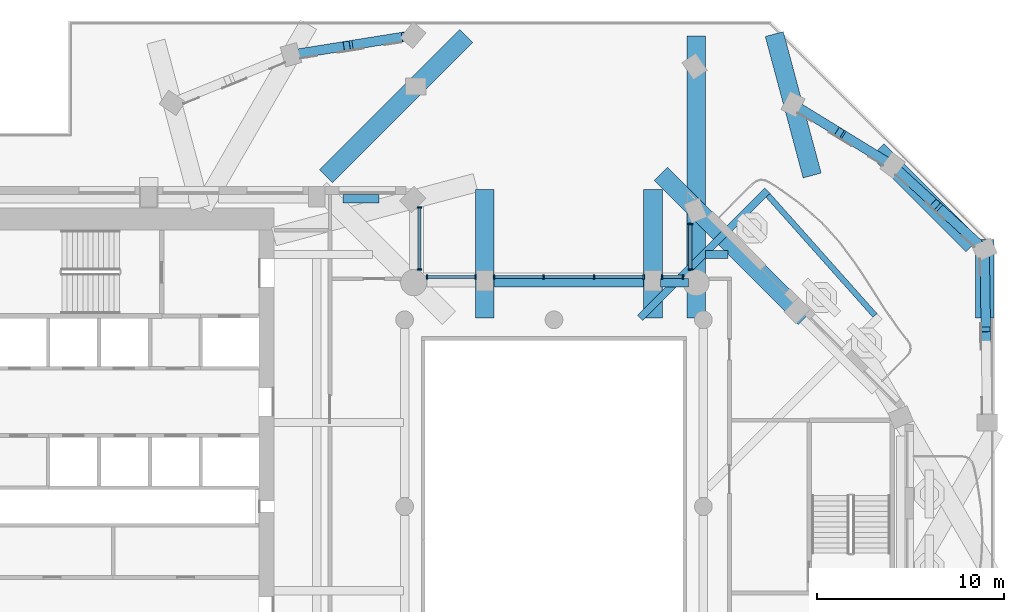
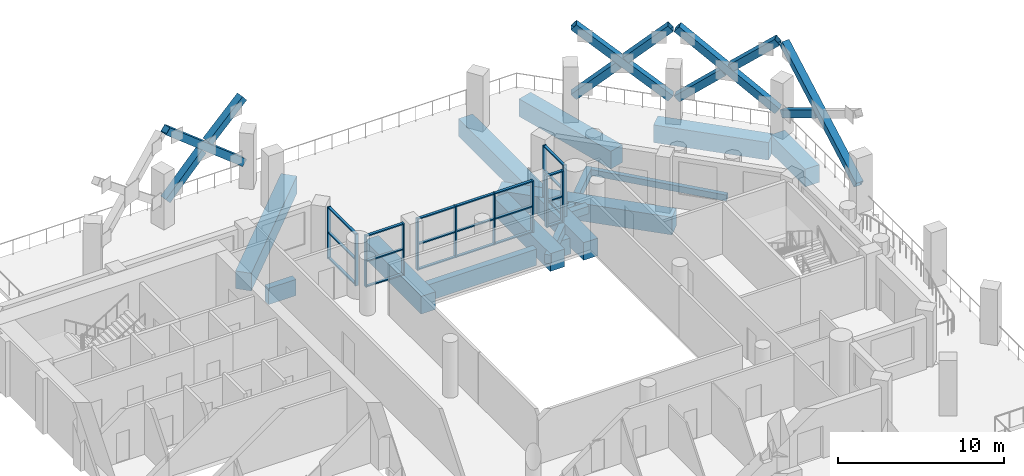
# One storey, part 3 of 18: 44 members, 14 beams, 5 elements without a shape of their own.
"""IFC4 building model written with IfcOpenShell, lengths in metres."""

from ifc_helpers import new_model, si_unit, direction, frame, origin, origin_2d, place, context, subcontext, project, spatial, rectangle, hollow_rectangle, extrude, material, material_profile, profile_set, type_object, element, aggregate, save


model = new_model("IFC4")

# Units and contexts
model_context = context("Model", 3, precision=1e-05, world=origin(), true_north=direction((0.0, 1.0)))
body_context = subcontext(model_context, "Body", "Model", "MODEL_VIEW")
ifc_project = project(units=[si_unit("LENGTHUNIT", "METRE"), si_unit("AREAUNIT", "SQUARE_METRE"), si_unit("VOLUMEUNIT", "CUBIC_METRE"), si_unit("PLANEANGLEUNIT", "RADIAN"), si_unit("MASSUNIT", "GRAM", prefix="KILO")], contexts=[model_context])

# Site, building, storey
site_placement = place(None, origin())
site = spatial("IfcSite", under=ifc_project, at=site_placement, CompositionType="ELEMENT")
building_placement = place(site_placement, origin())
building = spatial("IfcBuilding", under=site, at=building_placement, Name="Cypress Arch Tower", CompositionType="ELEMENT")
storey_placement = place(building_placement, frame((0.0, 0.0, 160.5)))
storey = spatial("IfcBuildingStorey", under=building, at=storey_placement, Name="L34", CompositionType="ELEMENT", Elevation=160.5)

# Beams
ifc_material_1 = material(Name="Concrete C50/60", Category="concrete")
ifc_material_profile_1 = material_profile(ifc_material_1, rectangle(XDim=0.300048828125, YDim=0.449951171875, at=origin_2d()), Name="RC 300x450")
ifc_profile_set_1 = profile_set([ifc_material_profile_1], Name="Concrete C50/60")
beam_type_1 = type_object("IfcBeamType", Name="Balcony edge beam RC 300x450 Concrete C50/60", PredefinedType="BEAM", material=ifc_profile_set_1)
beam_1_placement = place(storey_placement, frame((18.19091796875, 10.232666015625, -0.52490234375), z_axis=(-0.665072449719, 0.746778840504, 0.0), x_axis=(-0.746778840504, -0.665072449719, 0.0)))
element("IfcBeam", 1, at=beam_1_placement, inside=storey, type_object=beam_type_1, Name="Balcony edge beam L34 B05", PredefinedType="BEAM", context=body_context, shape_type="SweptSolid", body=[
    extrude(rectangle(XDim=0.300048828125, YDim=0.449951171875, at=origin_2d()), origin(), (0.0, 0.0, 1.0), 8.614501953125),
])
ifc_material_2 = material(Name="Concrete C50/60", Category="concrete")
ifc_material_profile_2 = material_profile(ifc_material_2, rectangle(XDim=0.39990234375, YDim=0.64990234375, at=origin_2d()), Name="RC 400x650")
ifc_profile_set_2 = profile_set([ifc_material_profile_2], Name="Concrete C50/60")
beam_type_2 = type_object("IfcBeamType", Name="Cantilever beam RC 400x650 Concrete C50/60", PredefinedType="BEAM", material=ifc_profile_set_2)
beam_2_placement = place(storey_placement, frame((5.613037109375, 10.10009765625, -0.625), z_axis=(0.707119450286, 0.70709411186, 0.0), x_axis=(-0.70709411186, 0.707119450286, 0.0)))
element("IfcBeam", 2, at=beam_2_placement, inside=storey, type_object=beam_type_2, Name="Cantilever beam L34 B05 2", PredefinedType="BEAM", context=body_context, shape_type="SweptSolid", body=[
    extrude(rectangle(XDim=0.39990234375, YDim=0.64990234375, at=origin_2d()), origin(), (0.0, 0.0, 1.0), 9.63525390625),
])

# Members
ifc_material_3 = material(Name="Steel ASTM A500 Grade C", Category="steel")
ifc_material_profile_3 = material_profile(ifc_material_3, hollow_rectangle(XDim=0.508056640625, YDim=0.508056640625, WallThickness=0.017578125, at=origin_2d()), Name="HSS 20x20x3/4")
ifc_profile_set_3 = profile_set([ifc_material_profile_3], Name="Steel ASTM A500 Grade C")
member_type_1 = type_object("IfcMemberType", Name="Exoskeleton brace HSS 20x20x3/4 Steel ASTM A500 Grade C", PredefinedType="BRACE", material=ifc_profile_set_3)
member_1_placement = place(storey_placement, frame((-6.9873046875, 25.16650390625, 1.86962890625), z_axis=(-0.759362429505, -0.121258621053, 0.639269151044), x_axis=(0.157686985254, -0.987489146615, 0.0)))
element("IfcMember", 3, at=member_1_placement, inside=storey, type_object=member_type_1, Name="Exoskeleton brace L34 CQ02-CQ03a", PredefinedType="BRACE", context=body_context, shape_type="SweptSolid", body=[
    extrude(hollow_rectangle(XDim=0.508056640625, YDim=0.508056640625, WallThickness=0.017578125, at=origin_2d()), origin(), (0.0, 0.0, 1.0), 7.75146484375),
])
member_2_placement = place(storey_placement, frame((-6.9873046875, 25.16650390625, 6.63037109375), z_axis=(-0.771601867664, -0.123256808039, -0.624049931567), x_axis=(0.157741564469, -0.987480429598, 0.0)))
element("IfcMember", 4, at=member_2_placement, inside=storey, type_object=member_type_1, Name="Exoskeleton brace L34 CQ02-CQ03b1", PredefinedType="BRACE", context=body_context, shape_type="SweptSolid", body=[
    extrude(hollow_rectangle(XDim=0.508056640625, YDim=0.508056640625, WallThickness=0.017578125, at=origin_2d()), origin(), (0.0, 0.0, 1.0), 3.4267578125),
])
member_3_placement = place(storey_placement, frame((-12.87353515625, 24.2265625, 1.675048828125), z_axis=(0.747248255454, 0.119328423488, 0.653743659296), x_axis=(-0.157692464073, 0.987488271715, 0.0)))
element("IfcMember", 5, at=member_3_placement, inside=storey, type_object=member_type_1, Name="Exoskeleton brace L34 CQ02-CQ03b2", PredefinedType="BRACE", context=body_context, shape_type="SweptSolid", body=[
    extrude(hollow_rectangle(XDim=0.508056640625, YDim=0.508056640625, WallThickness=0.017578125, at=origin_2d()), origin(), (0.0, 0.0, 1.0), 3.715576171875),
])
member_4_placement = place(storey_placement, frame((24.196533203125, 4.740234375, 1.642822265625), z_axis=(-0.012633702037, 0.859692199614, 0.510656157796), x_axis=(-0.999892036997, -0.014694024291, 0.0)))
element("IfcMember", 6, at=member_4_placement, inside=storey, type_object=member_type_1, Name="Exoskeleton brace L34 CQ14-CQ15a", PredefinedType="BRACE", context=body_context, shape_type="SweptSolid", body=[
    extrude(hollow_rectangle(XDim=0.508056640625, YDim=0.508056640625, WallThickness=0.017578125, at=origin_2d()), origin(), (0.0, 0.0, 1.0), 10.164794921875),
])
member_5_placement = place(storey_placement, frame((24.068115234375, 13.478759765625, 1.66650390625), z_axis=(0.012637504543, -0.860719371928, 0.508922839207), x_axis=(0.999892229651, 0.014680908792, 0.0)))
element("IfcMember", 7, at=member_5_placement, inside=storey, type_object=member_type_1, Name="Exoskeleton brace L34 CQ14-CQ15b2", PredefinedType="BRACE", context=body_context, shape_type="SweptSolid", body=[
    extrude(hollow_rectangle(XDim=0.508056640625, YDim=0.508056640625, WallThickness=0.017578125, at=origin_2d()), origin(), (0.0, 0.0, 1.0), 4.636474609375),
])
member_6_placement = place(storey_placement, frame((23.880615234375, 13.927001953125, 1.704833984375), z_axis=(-0.569373547845, 0.521155454769, 0.635775711221), x_axis=(-0.675182159248, -0.737651036624, 0.0)))
element("IfcMember", 8, at=member_6_placement, inside=storey, type_object=member_type_1, Name="Exoskeleton brace L34 CQ15-CQ16a", PredefinedType="BRACE", context=body_context, shape_type="SweptSolid", body=[
    extrude(hollow_rectangle(XDim=0.508056640625, YDim=0.508056640625, WallThickness=0.017578125, at=origin_2d()), origin(), (0.0, 0.0, 1.0), 8.0556640625),
])
member_7_placement = place(storey_placement, frame((23.880615234375, 13.927001953125, 6.795166015625), z_axis=(-0.57078193441, 0.522440805637, -0.633453698353), x_axis=(-0.67517951183, -0.737653459834, 0.0)))
element("IfcMember", 9, at=member_7_placement, inside=storey, type_object=member_type_1, Name="Exoskeleton brace L34 CQ15-CQ16b1", PredefinedType="BRACE", context=body_context, shape_type="SweptSolid", body=[
    extrude(hollow_rectangle(XDim=0.508056640625, YDim=0.508056640625, WallThickness=0.017578125, at=origin_2d()), origin(), (0.0, 0.0, 1.0), 3.69677734375),
])
member_8_placement = place(storey_placement, frame((19.2939453125, 18.125244140625, 1.673583984375), z_axis=(0.567933916202, -0.519861411753, 0.638118468153), x_axis=(0.675198888263, 0.737635723978, 0.0)))
element("IfcMember", 10, at=member_8_placement, inside=storey, type_object=member_type_1, Name="Exoskeleton brace L34 CQ15-CQ16b2", PredefinedType="BRACE", context=body_context, shape_type="SweptSolid", body=[
    extrude(hollow_rectangle(XDim=0.508056640625, YDim=0.508056640625, WallThickness=0.017578125, at=origin_2d()), origin(), (0.0, 0.0, 1.0), 3.742919921875),
])
member_9_placement = place(storey_placement, frame((18.96435546875, 18.37451171875, 1.67919921875), z_axis=(-0.640050093812, 0.393667307688, 0.659819617978), x_axis=(-0.52389502114, -0.85178284018, 0.0)))
element("IfcMember", 11, at=member_9_placement, inside=storey, type_object=member_type_1, Name="Exoskeleton brace L34 CQ16-CQ17a", PredefinedType="BRACE", context=body_context, shape_type="SweptSolid", body=[
    extrude(hollow_rectangle(XDim=0.508056640625, YDim=0.508056640625, WallThickness=0.017578125, at=origin_2d()), origin(), (0.0, 0.0, 1.0), 7.79248046875),
])
member_10_placement = place(storey_placement, frame((18.96435546875, 18.37451171875, 6.82080078125), z_axis=(-0.640017530729, 0.393674735778, -0.659846772191), x_axis=(-0.523921531976, -0.851766533935, 0.0)))
element("IfcMember", 12, at=member_10_placement, inside=storey, type_object=member_type_1, Name="Exoskeleton brace L34 CQ16-CQ17b1", PredefinedType="BRACE", context=body_context, shape_type="SweptSolid", body=[
    extrude(hollow_rectangle(XDim=0.508056640625, YDim=0.508056640625, WallThickness=0.017578125, at=origin_2d()), origin(), (0.0, 0.0, 1.0), 3.607421875),
])
member_11_placement = place(storey_placement, frame((13.976806640625, 21.442138671875, 1.67919921875), z_axis=(0.640057482874, -0.393657684276, 0.659818191798), x_axis=(0.523881341145, 0.851791254005, 0.0)))
element("IfcMember", 13, at=member_11_placement, inside=storey, type_object=member_type_1, Name="Exoskeleton brace L34 CQ16-CQ17b2", PredefinedType="BRACE", context=body_context, shape_type="SweptSolid", body=[
    extrude(hollow_rectangle(XDim=0.508056640625, YDim=0.508056640625, WallThickness=0.017578125, at=origin_2d()), origin(), (0.0, 0.0, 1.0), 3.607666015625),
])

# Beam
ifc_material_4 = material(Name="Concrete C50/60", Category="concrete")
ifc_material_profile_4 = material_profile(ifc_material_4, rectangle(XDim=0.449951171875, YDim=0.550048828125, at=origin_2d()), Name="RC 450x550")
ifc_profile_set_4 = profile_set([ifc_material_profile_4], Name="Concrete C50/60")
beam_type_3 = type_object("IfcBeamType", Name="Floor beam RC 450x550 Concrete C50/60", PredefinedType="BEAM", material=ifc_profile_set_4)
beam_3_placement = place(storey_placement, frame((9.112060546875, 13.5, -0.574951171875), z_axis=(1.0, 0.0, 0.0), x_axis=(0.0, 1.0, 0.0)))
element("IfcBeam", 14, at=beam_3_placement, inside=storey, type_object=beam_type_3, Name="Floor beam L34 FB016", PredefinedType="BEAM", context=body_context, shape_type="SweptSolid", body=[
    extrude(rectangle(XDim=0.449951171875, YDim=0.550048828125, at=origin_2d()), origin(), (0.0, 0.0, 1.0), 1.215087890625),
])

# Curtain wall, members
ifc_material_5 = material(Name="Anodised aluminium, bronze finish, clear laminated double glazing", Category="aluminium")
curtain_wall_type = type_object("IfcCurtainWallType", Name="Curtain wall CW7 slot glazing", PredefinedType="NOTDEFINED", material=ifc_material_5)
curtain_wall_1_placement = place(storey_placement, origin())
curtain_wall_1 = element("IfcCurtainWall", 15, at=curtain_wall_1_placement, inside=storey, type_object=curtain_wall_type, Name="Curtain wall L34 slot B06.0", PredefinedType="NOTDEFINED")
ifc_material_6 = material(Name="Anodised aluminium, bronze finish", Category="aluminium")
ifc_material_profile_5 = material_profile(ifc_material_6, rectangle(XDim=0.239990234375, YDim=0.0849609375, at=origin_2d()), Name="Mullion 85x240")
ifc_profile_set_5 = profile_set([ifc_material_profile_5], Name="Anodised aluminium, bronze finish")
member_type_2 = type_object("IfcMemberType", Name="Mullion CW7 85x240", PredefinedType="MULLION", material=ifc_profile_set_5)
member_12_placement = place(storey_placement, frame((8.300048828125, 15.12744140625, 0.0), z_axis=(0.0, 0.0, 1.0), x_axis=(1.0, 0.0, 0.0)))
member_12 = element("IfcMember", 16, at=member_12_placement, type_object=member_type_2, Name="CW7 mullion 1", PredefinedType="MULLION", context=body_context, shape_type="SweptSolid", body=[
    extrude(rectangle(XDim=0.239990234375, YDim=0.0849609375, at=origin_2d()), origin(), (0.0, 0.0, 1.0), 3.800048828125),
])
member_13_placement = place(storey_placement, frame((8.300048828125, 12.697021484375, 0.0), z_axis=(0.0, 0.0, 1.0), x_axis=(1.0, 0.0, 0.0)))
member_13 = element("IfcMember", 17, at=member_13_placement, type_object=member_type_2, Name="CW7 mullion 2", PredefinedType="MULLION", context=body_context, shape_type="SweptSolid", body=[
    extrude(rectangle(XDim=0.239990234375, YDim=0.0849609375, at=origin_2d()), origin(), (0.0, 0.0, 1.0), 3.800048828125),
])

curtain_wall_2_placement = place(storey_placement, origin())
curtain_wall_2 = element("IfcCurtainWall", 18, at=curtain_wall_2_placement, inside=storey, type_object=curtain_wall_type, Name="Curtain wall L34 slot B07.0", PredefinedType="NOTDEFINED")
member_14_placement = place(storey_placement, frame((7.903076171875, 12.300048828125, 0.0), z_axis=(0.0, 0.0, 1.0), x_axis=(0.0, -1.0, 0.0)))
member_14 = element("IfcMember", 19, at=member_14_placement, type_object=member_type_2, Name="CW7 mullion 1", PredefinedType="MULLION", context=body_context, shape_type="SweptSolid", body=[
    extrude(rectangle(XDim=0.239990234375, YDim=0.0849609375, at=origin_2d()), origin(), (0.0, 0.0, 1.0), 3.800048828125),
])
member_15_placement = place(storey_placement, frame((6.79248046875, 12.300048828125, 0.0), z_axis=(0.0, 0.0, 1.0), x_axis=(0.0, -1.0, 0.0)))
member_15 = element("IfcMember", 20, at=member_15_placement, type_object=member_type_2, Name="CW7 mullion 2", PredefinedType="MULLION", context=body_context, shape_type="SweptSolid", body=[
    extrude(rectangle(XDim=0.239990234375, YDim=0.0849609375, at=origin_2d()), origin(), (0.0, 0.0, 1.0), 3.800048828125),
])

curtain_wall_3_placement = place(storey_placement, origin())
curtain_wall_3 = element("IfcCurtainWall", 21, at=curtain_wall_3_placement, inside=storey, type_object=curtain_wall_type, Name="Curtain wall L34 slot B07.1", PredefinedType="NOTDEFINED")
member_16_placement = place(storey_placement, frame((5.8076171875, 12.300048828125, 0.0), z_axis=(0.0, 0.0, 1.0), x_axis=(0.0, -1.0, 0.0)))
member_16 = element("IfcMember", 22, at=member_16_placement, type_object=member_type_2, Name="CW7 mullion 1", PredefinedType="MULLION", context=body_context, shape_type="SweptSolid", body=[
    extrude(rectangle(XDim=0.239990234375, YDim=0.0849609375, at=origin_2d()), origin(), (0.0, 0.0, 1.0), 3.800048828125),
])
member_17_placement = place(storey_placement, frame((3.14990234375, 12.300048828125, 0.0), z_axis=(0.0, 0.0, 1.0), x_axis=(0.0, -1.0, 0.0)))
member_17 = element("IfcMember", 23, at=member_17_placement, type_object=member_type_2, Name="CW7 mullion 2", PredefinedType="MULLION", context=body_context, shape_type="SweptSolid", body=[
    extrude(rectangle(XDim=0.239990234375, YDim=0.0849609375, at=origin_2d()), origin(), (0.0, 0.0, 1.0), 3.800048828125),
])
member_18_placement = place(storey_placement, frame((0.449951171875, 12.300048828125, 0.0), z_axis=(0.0, 0.0, 1.0), x_axis=(0.0, -1.0, 0.0)))
member_18 = element("IfcMember", 24, at=member_18_placement, type_object=member_type_2, Name="CW7 mullion 3", PredefinedType="MULLION", context=body_context, shape_type="SweptSolid", body=[
    extrude(rectangle(XDim=0.239990234375, YDim=0.0849609375, at=origin_2d()), origin(), (0.0, 0.0, 1.0), 3.800048828125),
])
member_19_placement = place(storey_placement, frame((-2.20751953125, 12.300048828125, 0.0), z_axis=(0.0, 0.0, 1.0), x_axis=(0.0, -1.0, 0.0)))
member_19 = element("IfcMember", 25, at=member_19_placement, type_object=member_type_2, Name="CW7 mullion 4", PredefinedType="MULLION", context=body_context, shape_type="SweptSolid", body=[
    extrude(rectangle(XDim=0.239990234375, YDim=0.0849609375, at=origin_2d()), origin(), (0.0, 0.0, 1.0), 3.800048828125),
])

curtain_wall_4_placement = place(storey_placement, origin())
curtain_wall_4 = element("IfcCurtainWall", 26, at=curtain_wall_4_placement, inside=storey, type_object=curtain_wall_type, Name="Curtain wall L34 slot B07.2", PredefinedType="NOTDEFINED")
member_20_placement = place(storey_placement, frame((-3.1923828125, 12.300048828125, 0.0), z_axis=(0.0, 0.0, 1.0), x_axis=(0.0, -1.0, 0.0)))
member_20 = element("IfcMember", 27, at=member_20_placement, type_object=member_type_2, Name="CW7 mullion 1", PredefinedType="MULLION", context=body_context, shape_type="SweptSolid", body=[
    extrude(rectangle(XDim=0.239990234375, YDim=0.0849609375, at=origin_2d()), origin(), (0.0, 0.0, 1.0), 3.800048828125),
])
member_21_placement = place(storey_placement, frame((-5.802978515625, 12.300048828125, 0.0), z_axis=(0.0, 0.0, 1.0), x_axis=(0.0, -1.0, 0.0)))
member_21 = element("IfcMember", 28, at=member_21_placement, type_object=member_type_2, Name="CW7 mullion 2", PredefinedType="MULLION", context=body_context, shape_type="SweptSolid", body=[
    extrude(rectangle(XDim=0.239990234375, YDim=0.0849609375, at=origin_2d()), origin(), (0.0, 0.0, 1.0), 3.800048828125),
])

curtain_wall_5_placement = place(storey_placement, origin())
curtain_wall_5 = element("IfcCurtainWall", 29, at=curtain_wall_5_placement, inside=storey, type_object=curtain_wall_type, Name="Curtain wall L34 slot B08.0", PredefinedType="NOTDEFINED")
member_22_placement = place(storey_placement, frame((-6.199951171875, 12.697021484375, 0.0), z_axis=(0.0, 0.0, 1.0), x_axis=(-1.0, 0.0, 0.0)))
member_22 = element("IfcMember", 30, at=member_22_placement, type_object=member_type_2, Name="CW7 mullion 1", PredefinedType="MULLION", context=body_context, shape_type="SweptSolid", body=[
    extrude(rectangle(XDim=0.239990234375, YDim=0.0849609375, at=origin_2d()), origin(), (0.0, 0.0, 1.0), 3.800048828125),
])
member_23_placement = place(storey_placement, frame((-6.199951171875, 16.02099609375, 0.0), z_axis=(0.0, 0.0, 1.0), x_axis=(-1.0, 0.0, 0.0)))
member_23 = element("IfcMember", 31, at=member_23_placement, type_object=member_type_2, Name="CW7 mullion 2", PredefinedType="MULLION", context=body_context, shape_type="SweptSolid", body=[
    extrude(rectangle(XDim=0.239990234375, YDim=0.0849609375, at=origin_2d()), origin(), (0.0, 0.0, 1.0), 3.800048828125),
])

# Beams
ifc_material_7 = material(Name="Concrete C50/60", Category="concrete")
ifc_material_profile_6 = material_profile(ifc_material_7, rectangle(XDim=0.449951171875, YDim=1.199951171875, at=origin_2d()), Name="RC 450x1200")
ifc_profile_set_6 = profile_set([ifc_material_profile_6], Name="Concrete C50/60")
beam_type_4 = type_object("IfcBeamType", Name="Spandrel beam RC 450x1200 Concrete C50/60", PredefinedType="SPANDREL", material=ifc_profile_set_6)
beam_4_placement = place(storey_placement, frame((8.2060546875, 11.97509765625, -1.550048828125), z_axis=(-1.0, 0.0, 0.0), x_axis=(0.0, -1.0, 0.0)))
element("IfcBeam", 32, at=beam_4_placement, inside=storey, type_object=beam_type_4, Name="Spandrel beam L34 BB07-0", PredefinedType="SPANDREL", context=body_context, shape_type="SweptSolid", body=[
    extrude(rectangle(XDim=0.449951171875, YDim=1.199951171875, at=origin_2d()), origin(), (0.0, 0.0, 1.0), 1.5),
])
beam_5_placement = place(storey_placement, frame((5.800048828125, 11.97509765625, -1.550048828125), z_axis=(-1.0, 0.0, 0.0), x_axis=(0.0, -1.0, 0.0)))
element("IfcBeam", 33, at=beam_5_placement, inside=storey, type_object=beam_type_4, Name="Spandrel beam L34 BB07-1", PredefinedType="SPANDREL", context=body_context, shape_type="SweptSolid", body=[
    extrude(rectangle(XDim=0.449951171875, YDim=1.199951171875, at=origin_2d()), origin(), (0.0, 0.0, 1.0), 8.0),
])
beam_6_placement = place(storey_placement, frame((-8.369140625, 16.47509765625, -1.550048828125), z_axis=(-1.0, 0.0, 0.0), x_axis=(0.0, -1.0, 0.0)))
element("IfcBeam", 34, at=beam_6_placement, inside=storey, type_object=beam_type_4, Name="Spandrel beam L34 BB09-0", PredefinedType="SPANDREL", context=body_context, shape_type="SweptSolid", body=[
    extrude(rectangle(XDim=0.449951171875, YDim=1.199951171875, at=origin_2d()), origin(), (0.0, 0.0, 1.0), 1.923095703125),
])
ifc_material_8 = material(Name="Concrete C80/95", Category="concrete")
ifc_material_profile_7 = material_profile(ifc_material_8, rectangle(XDim=1.0, YDim=1.300048828125, at=origin_2d()), Name="RC 1000x1300")
ifc_profile_set_7 = profile_set([ifc_material_profile_7], Name="Concrete C80/95")
beam_type_5 = type_object("IfcBeamType", Name="Transfer girder RC 1000x1300 Concrete C80/95", PredefinedType="BEAM", material=ifc_profile_set_7)
beam_7_placement = place(storey_placement, frame((14.434326171875, 10.10009765625, -0.949951171875), z_axis=(-0.707117973215, 0.707095588981, 0.0), x_axis=(-0.707095588981, -0.707117973215, 0.0)))
element("IfcBeam", 35, at=beam_7_placement, inside=storey, type_object=beam_type_5, Name="Transfer girder L34 CB11", PredefinedType="BEAM", context=body_context, shape_type="SweptSolid", body=[
    extrude(rectangle(XDim=1.0, YDim=1.300048828125, at=origin_2d()), origin(), (0.0, 0.0, 1.0), 10.90673828125),
])
beam_8_placement = place(storey_placement, frame((8.612060546875, 10.10009765625, -0.949951171875), z_axis=(0.0, 1.0, 0.0), x_axis=(-1.0, 0.0, 0.0)))
element("IfcBeam", 36, at=beam_8_placement, inside=storey, type_object=beam_type_5, Name="Transfer girder L34 CB13", PredefinedType="BEAM", context=body_context, shape_type="SweptSolid", body=[
    extrude(rectangle(XDim=1.0, YDim=1.300048828125, at=origin_2d()), origin(), (0.0, 0.0, 1.0), 15.099853515625),
])
for number, where, z_axis, x_axis, name in (
    (37, (6.300048828125, 10.10009765625, -0.949951171875), (0.0, 1.0, 0.0), (-1.0, 0.0, 0.0), "Transfer girder L34 CB14"),
    (38, (-2.699951171875, 10.10009765625, -0.949951171875), (0.0, 1.0, 0.0), (-1.0, 0.0, 0.0), "Transfer girder L34 CB15"),
):
    element("IfcBeam", number, at=place(storey_placement, frame(where, z_axis=z_axis, x_axis=x_axis)), inside=storey, type_object=beam_type_5, Name=name, PredefinedType="BEAM", context=body_context, shape_type="SweptSolid", body=[
        extrude(rectangle(XDim=1.0, YDim=1.300048828125, at=origin_2d()), origin(), (0.0, 0.0, 1.0), 6.875),
    ])
beam_9_placement = place(storey_placement, frame((-11.21044921875, 17.689453125, -0.949951171875), z_axis=(0.707106781187, 0.707106781187, 0.0), x_axis=(-0.707106781187, 0.707106781187, 0.0)))
element("IfcBeam", 39, at=beam_9_placement, inside=storey, type_object=beam_type_5, Name="Transfer girder L34 CQ01", PredefinedType="BEAM", context=body_context, shape_type="SweptSolid", body=[
    extrude(rectangle(XDim=1.0, YDim=1.300048828125, at=origin_2d()), origin(), (0.0, 0.0, 1.0), 10.621337890625),
])
beam_10_placement = place(storey_placement, frame((24.06396484375, 14.30908203125, -0.949951171875), z_axis=(0.0, -1.0, 0.0), x_axis=(1.0, 0.0, 0.0)))
element("IfcBeam", 40, at=beam_10_placement, inside=storey, type_object=beam_type_5, Name="Transfer girder L34 CQ15", PredefinedType="BEAM", context=body_context, shape_type="SweptSolid", body=[
    extrude(rectangle(XDim=1.0, YDim=1.300048828125, at=origin_2d()), origin(), (0.0, 0.0, 1.0), 4.208984375),
])
beam_11_placement = place(storey_placement, frame((23.4111328125, 13.99462890625, -0.949951171875), z_axis=(-0.707106781187, 0.707106781187, 0.0), x_axis=(-0.707106781187, -0.707106781187, 0.0)))
element("IfcBeam", 41, at=beam_11_placement, inside=storey, type_object=beam_type_5, Name="Transfer girder L34 CQ16", PredefinedType="BEAM", context=body_context, shape_type="SweptSolid", body=[
    extrude(rectangle(XDim=1.0, YDim=1.300048828125, at=origin_2d()), origin(), (0.0, 0.0, 1.0), 7.198486328125),
])
beam_12_placement = place(storey_placement, frame((14.8271484375, 17.727783203125, -0.949951171875), z_axis=(-0.258838804068, 0.965920531674, 0.0), x_axis=(-0.965920531674, -0.258838804068, 0.0)))
element("IfcBeam", 42, at=beam_12_placement, inside=storey, type_object=beam_type_5, Name="Transfer girder L34 CQ17", PredefinedType="BEAM", context=body_context, shape_type="SweptSolid", body=[
    extrude(rectangle(XDim=1.0, YDim=1.300048828125, at=origin_2d()), origin(), (0.0, 0.0, 1.0), 7.841064453125),
])

# Member
ifc_material_9 = material(Name="Anodised aluminium, bronze finish", Category="aluminium")
ifc_material_profile_8 = material_profile(ifc_material_9, rectangle(XDim=0.179931640625, YDim=0.0849609375, at=origin_2d()), Name="Transom 85x180")
ifc_profile_set_8 = profile_set([ifc_material_profile_8], Name="Anodised aluminium, bronze finish")
member_type_3 = type_object("IfcMemberType", Name="Transom CW7 85x180", PredefinedType="USERDEFINED", material=ifc_profile_set_8)
member_24_placement = place(storey_placement, frame((8.300048828125, 15.0849609375, 0.04248046875), z_axis=(0.0, -1.0, 0.0), x_axis=(1.0, 0.0, 0.0)))
member_24 = element("IfcMember", 43, at=member_24_placement, type_object=member_type_3, Name="CW7 transom 1.1", ObjectType="TRANSOM", PredefinedType="USERDEFINED", context=body_context, shape_type="SweptSolid", body=[
    extrude(rectangle(XDim=0.179931640625, YDim=0.0849609375, at=origin_2d()), origin(), (0.0, 0.0, 1.0), 2.345458984375),
])

member_25_placement = place(storey_placement, frame((8.300048828125, 15.0849609375, 1.89990234375), z_axis=(0.0, -1.0, 0.0), x_axis=(1.0, 0.0, 0.0)))
member_25 = element("IfcMember", 44, at=member_25_placement, type_object=member_type_3, Name="CW7 transom 1.2", ObjectType="TRANSOM", PredefinedType="USERDEFINED", context=body_context, shape_type="SweptSolid", body=[
    extrude(rectangle(XDim=0.179931640625, YDim=0.0849609375, at=origin_2d()), origin(), (0.0, 0.0, 1.0), 2.345458984375),
])

member_26_placement = place(storey_placement, frame((8.300048828125, 15.0849609375, 3.757568359375), z_axis=(0.0, -1.0, 0.0), x_axis=(1.0, 0.0, 0.0)))
member_26 = element("IfcMember", 45, at=member_26_placement, type_object=member_type_3, Name="CW7 transom 1.3", ObjectType="TRANSOM", PredefinedType="USERDEFINED", context=body_context, shape_type="SweptSolid", body=[
    extrude(rectangle(XDim=0.179931640625, YDim=0.0849609375, at=origin_2d()), origin(), (0.0, 0.0, 1.0), 2.345458984375),
])

aggregate(curtain_wall_1, [member_12, member_13, member_24, member_25, member_26])

member_27_placement = place(storey_placement, frame((7.8603515625, 12.300048828125, 0.04248046875), z_axis=(-1.0, 0.0, 0.0), x_axis=(0.0, -1.0, 0.0)))
member_27 = element("IfcMember", 46, at=member_27_placement, type_object=member_type_3, Name="CW7 transom 1.1", ObjectType="TRANSOM", PredefinedType="USERDEFINED", context=body_context, shape_type="SweptSolid", body=[
    extrude(rectangle(XDim=0.179931640625, YDim=0.0849609375, at=origin_2d()), origin(), (0.0, 0.0, 1.0), 1.025390625),
])

member_28_placement = place(storey_placement, frame((7.8603515625, 12.300048828125, 1.89990234375), z_axis=(-1.0, 0.0, 0.0), x_axis=(0.0, -1.0, 0.0)))
member_28 = element("IfcMember", 47, at=member_28_placement, type_object=member_type_3, Name="CW7 transom 1.2", ObjectType="TRANSOM", PredefinedType="USERDEFINED", context=body_context, shape_type="SweptSolid", body=[
    extrude(rectangle(XDim=0.179931640625, YDim=0.0849609375, at=origin_2d()), origin(), (0.0, 0.0, 1.0), 1.025390625),
])

member_29_placement = place(storey_placement, frame((7.8603515625, 12.300048828125, 3.757568359375), z_axis=(-1.0, 0.0, 0.0), x_axis=(0.0, -1.0, 0.0)))
member_29 = element("IfcMember", 48, at=member_29_placement, type_object=member_type_3, Name="CW7 transom 1.3", ObjectType="TRANSOM", PredefinedType="USERDEFINED", context=body_context, shape_type="SweptSolid", body=[
    extrude(rectangle(XDim=0.179931640625, YDim=0.0849609375, at=origin_2d()), origin(), (0.0, 0.0, 1.0), 1.025390625),
])

aggregate(curtain_wall_2, [member_14, member_15, member_27, member_28, member_29])

member_30_placement = place(storey_placement, frame((5.764892578125, 12.300048828125, 0.04248046875), z_axis=(-1.0, 0.0, 0.0), x_axis=(0.0, -1.0, 0.0)))
member_30 = element("IfcMember", 49, at=member_30_placement, type_object=member_type_3, Name="CW7 transom 1.1", ObjectType="TRANSOM", PredefinedType="USERDEFINED", context=body_context, shape_type="SweptSolid", body=[
    extrude(rectangle(XDim=0.179931640625, YDim=0.0849609375, at=origin_2d()), origin(), (0.0, 0.0, 1.0), 2.572509765625),
])

member_31_placement = place(storey_placement, frame((5.764892578125, 12.300048828125, 1.89990234375), z_axis=(-1.0, 0.0, 0.0), x_axis=(0.0, -1.0, 0.0)))
member_31 = element("IfcMember", 50, at=member_31_placement, type_object=member_type_3, Name="CW7 transom 1.2", ObjectType="TRANSOM", PredefinedType="USERDEFINED", context=body_context, shape_type="SweptSolid", body=[
    extrude(rectangle(XDim=0.179931640625, YDim=0.0849609375, at=origin_2d()), origin(), (0.0, 0.0, 1.0), 2.572509765625),
])

member_32_placement = place(storey_placement, frame((5.764892578125, 12.300048828125, 3.757568359375), z_axis=(-1.0, 0.0, 0.0), x_axis=(0.0, -1.0, 0.0)))
member_32 = element("IfcMember", 51, at=member_32_placement, type_object=member_type_3, Name="CW7 transom 1.3", ObjectType="TRANSOM", PredefinedType="USERDEFINED", context=body_context, shape_type="SweptSolid", body=[
    extrude(rectangle(XDim=0.179931640625, YDim=0.0849609375, at=origin_2d()), origin(), (0.0, 0.0, 1.0), 2.572509765625),
])

member_33_placement = place(storey_placement, frame((3.107421875, 12.300048828125, 0.04248046875), z_axis=(-1.0, 0.0, 0.0), x_axis=(0.0, -1.0, 0.0)))
member_33 = element("IfcMember", 52, at=member_33_placement, type_object=member_type_3, Name="CW7 transom 2.1", ObjectType="TRANSOM", PredefinedType="USERDEFINED", context=body_context, shape_type="SweptSolid", body=[
    extrude(rectangle(XDim=0.179931640625, YDim=0.0849609375, at=origin_2d()), origin(), (0.0, 0.0, 1.0), 2.614990234375),
])

member_34_placement = place(storey_placement, frame((3.107421875, 12.300048828125, 1.89990234375), z_axis=(-1.0, 0.0, 0.0), x_axis=(0.0, -1.0, 0.0)))
member_34 = element("IfcMember", 53, at=member_34_placement, type_object=member_type_3, Name="CW7 transom 2.2", ObjectType="TRANSOM", PredefinedType="USERDEFINED", context=body_context, shape_type="SweptSolid", body=[
    extrude(rectangle(XDim=0.179931640625, YDim=0.0849609375, at=origin_2d()), origin(), (0.0, 0.0, 1.0), 2.614990234375),
])

member_35_placement = place(storey_placement, frame((3.107421875, 12.300048828125, 3.757568359375), z_axis=(-1.0, 0.0, 0.0), x_axis=(0.0, -1.0, 0.0)))
member_35 = element("IfcMember", 54, at=member_35_placement, type_object=member_type_3, Name="CW7 transom 2.3", ObjectType="TRANSOM", PredefinedType="USERDEFINED", context=body_context, shape_type="SweptSolid", body=[
    extrude(rectangle(XDim=0.179931640625, YDim=0.0849609375, at=origin_2d()), origin(), (0.0, 0.0, 1.0), 2.614990234375),
])

member_36_placement = place(storey_placement, frame((0.407470703125, 12.300048828125, 0.04248046875), z_axis=(-1.0, 0.0, 0.0), x_axis=(0.0, -1.0, 0.0)))
member_36 = element("IfcMember", 55, at=member_36_placement, type_object=member_type_3, Name="CW7 transom 3.1", ObjectType="TRANSOM", PredefinedType="USERDEFINED", context=body_context, shape_type="SweptSolid", body=[
    extrude(rectangle(XDim=0.179931640625, YDim=0.0849609375, at=origin_2d()), origin(), (0.0, 0.0, 1.0), 2.572509765625),
])

member_37_placement = place(storey_placement, frame((0.407470703125, 12.300048828125, 1.89990234375), z_axis=(-1.0, 0.0, 0.0), x_axis=(0.0, -1.0, 0.0)))
member_37 = element("IfcMember", 56, at=member_37_placement, type_object=member_type_3, Name="CW7 transom 3.2", ObjectType="TRANSOM", PredefinedType="USERDEFINED", context=body_context, shape_type="SweptSolid", body=[
    extrude(rectangle(XDim=0.179931640625, YDim=0.0849609375, at=origin_2d()), origin(), (0.0, 0.0, 1.0), 2.572509765625),
])

member_38_placement = place(storey_placement, frame((0.407470703125, 12.300048828125, 3.757568359375), z_axis=(-1.0, 0.0, 0.0), x_axis=(0.0, -1.0, 0.0)))
member_38 = element("IfcMember", 57, at=member_38_placement, type_object=member_type_3, Name="CW7 transom 3.3", ObjectType="TRANSOM", PredefinedType="USERDEFINED", context=body_context, shape_type="SweptSolid", body=[
    extrude(rectangle(XDim=0.179931640625, YDim=0.0849609375, at=origin_2d()), origin(), (0.0, 0.0, 1.0), 2.572509765625),
])

aggregate(curtain_wall_3, [member_16, member_17, member_18, member_19, member_30, member_31, member_32, member_33, member_34, member_35, member_36, member_37, member_38])

member_39_placement = place(storey_placement, frame((-3.235107421875, 12.300048828125, 0.04248046875), z_axis=(-1.0, 0.0, 0.0), x_axis=(0.0, -1.0, 0.0)))
member_39 = element("IfcMember", 58, at=member_39_placement, type_object=member_type_3, Name="CW7 transom 1.1", ObjectType="TRANSOM", PredefinedType="USERDEFINED", context=body_context, shape_type="SweptSolid", body=[
    extrude(rectangle(XDim=0.179931640625, YDim=0.0849609375, at=origin_2d()), origin(), (0.0, 0.0, 1.0), 2.525390625),
])

member_40_placement = place(storey_placement, frame((-3.235107421875, 12.300048828125, 1.89990234375), z_axis=(-1.0, 0.0, 0.0), x_axis=(0.0, -1.0, 0.0)))
member_40 = element("IfcMember", 59, at=member_40_placement, type_object=member_type_3, Name="CW7 transom 1.2", ObjectType="TRANSOM", PredefinedType="USERDEFINED", context=body_context, shape_type="SweptSolid", body=[
    extrude(rectangle(XDim=0.179931640625, YDim=0.0849609375, at=origin_2d()), origin(), (0.0, 0.0, 1.0), 2.525390625),
])

member_41_placement = place(storey_placement, frame((-3.235107421875, 12.300048828125, 3.757568359375), z_axis=(-1.0, 0.0, 0.0), x_axis=(0.0, -1.0, 0.0)))
member_41 = element("IfcMember", 60, at=member_41_placement, type_object=member_type_3, Name="CW7 transom 1.3", ObjectType="TRANSOM", PredefinedType="USERDEFINED", context=body_context, shape_type="SweptSolid", body=[
    extrude(rectangle(XDim=0.179931640625, YDim=0.0849609375, at=origin_2d()), origin(), (0.0, 0.0, 1.0), 2.525390625),
])

aggregate(curtain_wall_4, [member_20, member_21, member_39, member_40, member_41])

member_42_placement = place(storey_placement, frame((-6.199951171875, 12.739501953125, 0.04248046875), z_axis=(0.0, 1.0, 0.0), x_axis=(-1.0, 0.0, 0.0)))
member_42 = element("IfcMember", 61, at=member_42_placement, type_object=member_type_3, Name="CW7 transom 1.1", ObjectType="TRANSOM", PredefinedType="USERDEFINED", context=body_context, shape_type="SweptSolid", body=[
    extrude(rectangle(XDim=0.179931640625, YDim=0.0849609375, at=origin_2d()), origin(), (0.0, 0.0, 1.0), 3.239013671875),
])

member_43_placement = place(storey_placement, frame((-6.199951171875, 12.739501953125, 1.89990234375), z_axis=(0.0, 1.0, 0.0), x_axis=(-1.0, 0.0, 0.0)))
member_43 = element("IfcMember", 62, at=member_43_placement, type_object=member_type_3, Name="CW7 transom 1.2", ObjectType="TRANSOM", PredefinedType="USERDEFINED", context=body_context, shape_type="SweptSolid", body=[
    extrude(rectangle(XDim=0.179931640625, YDim=0.0849609375, at=origin_2d()), origin(), (0.0, 0.0, 1.0), 3.239013671875),
])

member_44_placement = place(storey_placement, frame((-6.199951171875, 12.739501953125, 3.757568359375), z_axis=(0.0, 1.0, 0.0), x_axis=(-1.0, 0.0, 0.0)))
member_44 = element("IfcMember", 63, at=member_44_placement, type_object=member_type_3, Name="CW7 transom 1.3", ObjectType="TRANSOM", PredefinedType="USERDEFINED", context=body_context, shape_type="SweptSolid", body=[
    extrude(rectangle(XDim=0.179931640625, YDim=0.0849609375, at=origin_2d()), origin(), (0.0, 0.0, 1.0), 3.239013671875),
])

aggregate(curtain_wall_5, [member_22, member_23, member_42, member_43, member_44])

save(model, "model.ifc")
